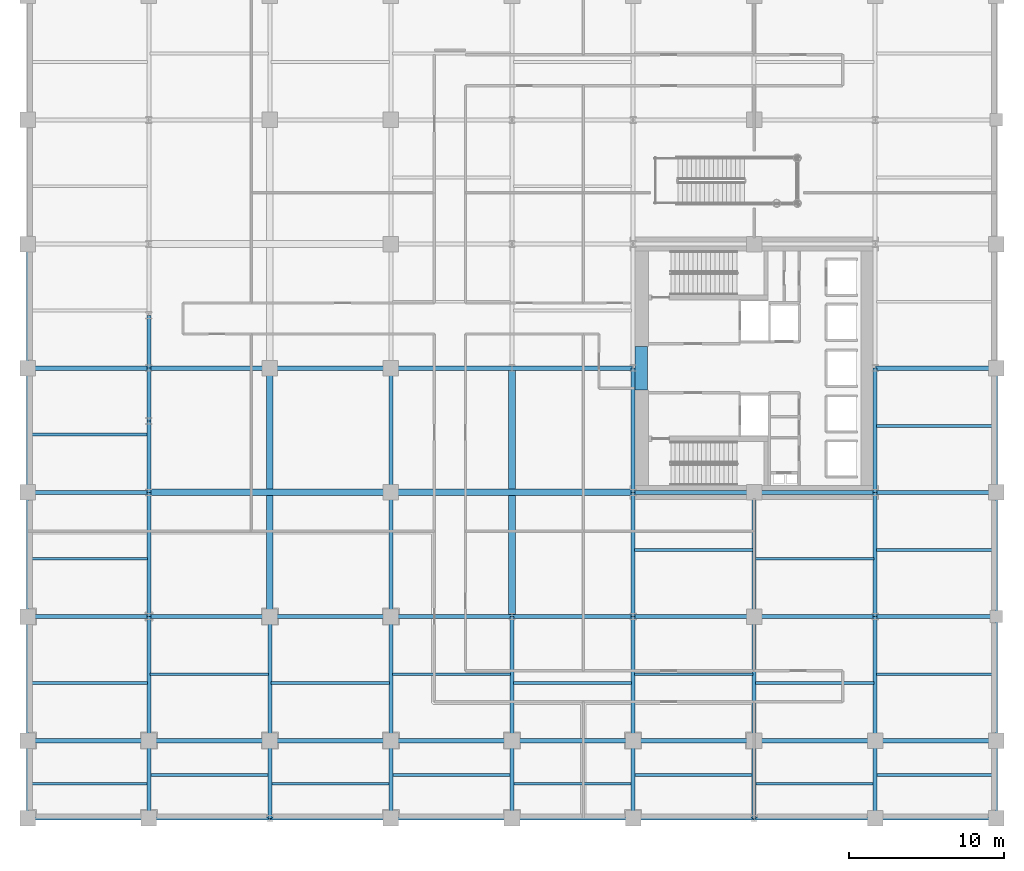
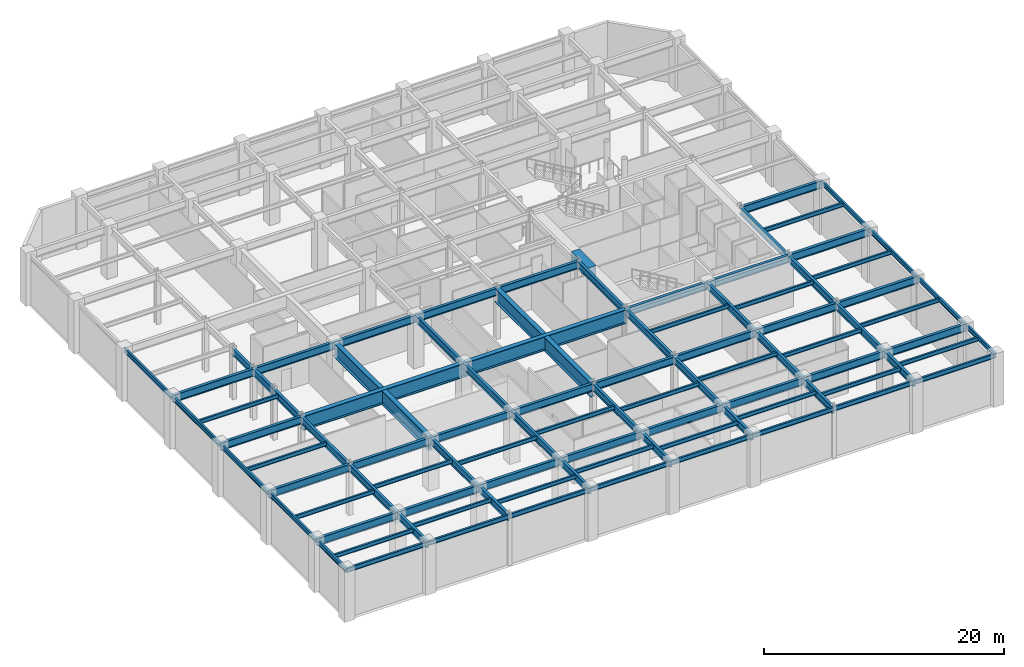
# One storey, part 5 of 12: 95 beams.
"""IFC4 building model written with IfcOpenShell, lengths in metres."""

from ifc_helpers import new_model, si_unit, direction, frame, origin, origin_2d, place, context, subcontext, project, spatial, rectangle, i_section, extrude, material, material_profile, profile_set, type_object, element, save


model = new_model("IFC4")

# Units and contexts
model_context = context("Model", 3, precision=1e-05, world=origin(), true_north=direction((0.0, 1.0)))
body_context = subcontext(model_context, "Body", "Model", "MODEL_VIEW")
ifc_project = project(units=[si_unit("LENGTHUNIT", "METRE"), si_unit("AREAUNIT", "SQUARE_METRE"), si_unit("VOLUMEUNIT", "CUBIC_METRE"), si_unit("PLANEANGLEUNIT", "RADIAN"), si_unit("MASSUNIT", "GRAM", prefix="KILO")], contexts=[model_context])

# Site, building, storey
site_placement = place(None, origin())
site = spatial("IfcSite", under=ifc_project, at=site_placement, CompositionType="ELEMENT")
building_placement = place(site_placement, origin())
building = spatial("IfcBuilding", under=site, at=building_placement, Name="Veymaron Broadcast Tower", CompositionType="ELEMENT")
storey_placement = place(building_placement, frame((0.0, 0.0, 10.800048828125)))
storey = spatial("IfcBuildingStorey", under=building, at=storey_placement, Name="L02", CompositionType="ELEMENT", Elevation=10.800048828125)

# Beams
ifc_material_1 = material(Name="Concrete C70/85", Category="concrete")
ifc_material_profile_1 = material_profile(ifc_material_1, rectangle(XDim=0.800048828125, YDim=1.10009765625, at=origin_2d()), Name="RC800X1100")
ifc_profile_set_1 = profile_set([ifc_material_profile_1], Name="Concrete C70/85")
beam_type_1 = type_object("IfcBeamType", Name="BM-CB1", PredefinedType="LINTEL", material=ifc_profile_set_1)
beam_1_placement = place(storey_placement, frame((39.530029296875, 22.60009765625, 4.570068359375), z_axis=(0.0, 1.0, 0.0), x_axis=(-1.0, 0.0, 0.0)))
element("IfcBeam", 1, at=beam_1_placement, inside=storey, type_object=beam_type_1, Name="L02 Core Wall west coupling beam", PredefinedType="LINTEL", context=body_context, shape_type="SweptSolid", body=[
    extrude(rectangle(XDim=0.800048828125, YDim=1.10009765625, at=origin_2d()), origin(), (0.0, 0.0, 1.0), 2.7998046875),
])
ifc_material_2 = material(Name="Structural steel ASTM A992 Gr 50", Category="steel")
ifc_material_profile_2 = material_profile(ifc_material_2, i_section(OverallWidth=0.177978515625, OverallDepth=0.406982421875, WebThickness=0.0078125, FlangeThickness=0.0126953125, at=origin_2d()), Name="W410X60")
ifc_profile_set_2 = profile_set([ifc_material_profile_2], Name="Structural steel ASTM A992 Gr 50")
beam_type_2 = type_object("IfcBeamType", Name="BM-JS1", PredefinedType="JOIST", material=ifc_profile_set_2)
for number, where, z_axis, x_axis, name in (
    (2, (0.0849609375, -2.780029296875, 4.91650390625), (1.0, 0.0, 0.0), (0.0, 1.0, 0.0), "L02 podium secondary floor joist"),
    (3, (0.0849609375, 3.719970703125, 4.91650390625), (1.0, 0.0, 0.0), (0.0, 1.0, 0.0), "L02 podium secondary floor joist"),
    (4, (0.0849609375, 11.719970703125, 4.91650390625), (1.0, 0.0, 0.0), (0.0, 1.0, 0.0), "L02 podium secondary floor joist"),
    (5, (0.0849609375, 19.719970703125, 4.91650390625), (1.0, 0.0, 0.0), (0.0, 1.0, 0.0), "L02 podium secondary floor joist"),
):
    element("IfcBeam", number, at=place(storey_placement, frame(where, z_axis=z_axis, x_axis=x_axis)), inside=storey, type_object=beam_type_2, Name=name, PredefinedType="JOIST", context=body_context, shape_type="SweptSolid", body=[
        extrude(i_section(OverallWidth=0.177978515625, OverallDepth=0.406982421875, WebThickness=0.0078125, FlangeThickness=0.0126953125, at=origin_2d()), origin(), (0.0, 0.0, 1.0), 7.630126953125),
    ])
for number, where, z_axis, x_axis, name in (
    (6, (7.885009765625, -2.219970703125, 4.91650390625), (1.0, 0.0, 0.0), (0.0, 1.0, 0.0), "L02 podium secondary floor joist"),
    (7, (7.885009765625, 4.280029296875, 4.91650390625), (1.0, 0.0, 0.0), (0.0, 1.0, 0.0), "L02 podium secondary floor joist"),
    (8, (15.68505859375, -2.780029296875, 4.91650390625), (1.0, 0.0, 0.0), (0.0, 1.0, 0.0), "L02 podium secondary floor joist"),
    (9, (15.68505859375, 3.719970703125, 4.91650390625), (1.0, 0.0, 0.0), (0.0, 1.0, 0.0), "L02 podium secondary floor joist"),
    (10, (23.485107421875, -2.219970703125, 4.91650390625), (1.0, 0.0, 0.0), (0.0, 1.0, 0.0), "L02 podium secondary floor joist"),
    (11, (23.485107421875, 4.280029296875, 4.91650390625), (1.0, 0.0, 0.0), (0.0, 1.0, 0.0), "L02 podium secondary floor joist"),
):
    element("IfcBeam", number, at=place(storey_placement, frame(where, z_axis=z_axis, x_axis=x_axis)), inside=storey, type_object=beam_type_2, Name=name, PredefinedType="JOIST", context=body_context, shape_type="SweptSolid", body=[
        extrude(i_section(OverallWidth=0.177978515625, OverallDepth=0.406982421875, WebThickness=0.0078125, FlangeThickness=0.0126953125, at=origin_2d()), origin(), (0.0, 0.0, 1.0), 7.6298828125),
    ])
for number, where, z_axis, x_axis, name in (
    (12, (31.284912109375, -2.780029296875, 4.91650390625), (1.0, 0.0, 0.0), (0.0, 1.0, 0.0), "L02 podium secondary floor joist"),
    (13, (31.284912109375, 3.719970703125, 4.91650390625), (1.0, 0.0, 0.0), (0.0, 1.0, 0.0), "L02 podium secondary floor joist"),
    (14, (39.0849609375, -2.219970703125, 4.91650390625), (1.0, 0.0, 0.0), (0.0, 1.0, 0.0), "L02 podium secondary floor joist"),
    (15, (39.0849609375, 4.280029296875, 4.91650390625), (1.0, 0.0, 0.0), (0.0, 1.0, 0.0), "L02 podium secondary floor joist"),
    (16, (39.0849609375, 12.280029296875, 4.91650390625), (1.0, 0.0, 0.0), (0.0, 1.0, 0.0), "L02 podium secondary floor joist"),
):
    element("IfcBeam", number, at=place(storey_placement, frame(where, z_axis=z_axis, x_axis=x_axis)), inside=storey, type_object=beam_type_2, Name=name, PredefinedType="JOIST", context=body_context, shape_type="SweptSolid", body=[
        extrude(i_section(OverallWidth=0.177978515625, OverallDepth=0.406982421875, WebThickness=0.0078125, FlangeThickness=0.0126953125, at=origin_2d()), origin(), (0.0, 0.0, 1.0), 7.630126953125),
    ])
for number, where, z_axis, x_axis, name in (
    (17, (46.885009765625, -2.780029296875, 4.91650390625), (1.0, 0.0, 0.0), (0.0, 1.0, 0.0), "L02 podium secondary floor joist"),
    (18, (46.885009765625, 3.719970703125, 4.91650390625), (1.0, 0.0, 0.0), (0.0, 1.0, 0.0), "L02 podium secondary floor joist"),
    (19, (46.885009765625, 11.719970703125, 4.91650390625), (1.0, 0.0, 0.0), (0.0, 1.0, 0.0), "L02 podium secondary floor joist"),
    (20, (54.68505859375, -2.219970703125, 4.91650390625), (1.0, 0.0, 0.0), (0.0, 1.0, 0.0), "L02 podium secondary floor joist"),
    (21, (54.68505859375, 4.280029296875, 4.91650390625), (1.0, 0.0, 0.0), (0.0, 1.0, 0.0), "L02 podium secondary floor joist"),
    (22, (54.68505859375, 12.280029296875, 4.91650390625), (1.0, 0.0, 0.0), (0.0, 1.0, 0.0), "L02 podium secondary floor joist"),
    (23, (54.68505859375, 20.280029296875, 4.91650390625), (1.0, 0.0, 0.0), (0.0, 1.0, 0.0), "L02 podium secondary floor joist"),
):
    element("IfcBeam", number, at=place(storey_placement, frame(where, z_axis=z_axis, x_axis=x_axis)), inside=storey, type_object=beam_type_2, Name=name, PredefinedType="JOIST", context=body_context, shape_type="SweptSolid", body=[
        extrude(i_section(OverallWidth=0.177978515625, OverallDepth=0.406982421875, WebThickness=0.0078125, FlangeThickness=0.0126953125, at=origin_2d()), origin(), (0.0, 0.0, 1.0), 7.6298828125),
    ])
ifc_material_profile_3 = material_profile(ifc_material_2, i_section(OverallWidth=0.26806640625, OverallDepth=0.77001953125, WebThickness=0.015625, FlangeThickness=0.025390625, at=origin_2d()), Name="W760X196")
ifc_profile_set_3 = profile_set([ifc_material_profile_3], Name="Structural steel ASTM A992 Gr 50")
beam_type_3 = type_object("IfcBeamType", Name="BM-PG1", PredefinedType="BEAM", material=ifc_profile_set_3)
for number, where, z_axis, x_axis, name in (
    (24, (0.0, 0.0, 4.73486328125), (1.0, 0.0, 0.0), (0.0, 1.0, 0.0), "L02 podium primary X-girder"),
    (25, (7.800048828125, 0.0, 4.73486328125), (1.0, 0.0, 0.0), (0.0, 1.0, 0.0), "L02 podium primary X-girder"),
):
    element("IfcBeam", number, at=place(storey_placement, frame(where, z_axis=z_axis, x_axis=x_axis)), inside=storey, type_object=beam_type_3, Name=name, PredefinedType="BEAM", context=body_context, shape_type="SweptSolid", body=[
        extrude(i_section(OverallWidth=0.26806640625, OverallDepth=0.77001953125, WebThickness=0.015625, FlangeThickness=0.025390625, at=origin_2d()), origin(), (0.0, 0.0, 1.0), 7.800048828125),
    ])
beam_2_placement = place(storey_placement, frame((15.60009765625, 0.0, 4.73486328125), z_axis=(1.0, 0.0, 0.0), x_axis=(0.0, 1.0, 0.0)))
element("IfcBeam", 26, at=beam_2_placement, inside=storey, type_object=beam_type_3, Name="L02 podium primary X-girder", PredefinedType="BEAM", context=body_context, shape_type="SweptSolid", body=[
    extrude(i_section(OverallWidth=0.26806640625, OverallDepth=0.77001953125, WebThickness=0.015625, FlangeThickness=0.025390625, at=origin_2d()), origin(), (0.0, 0.0, 1.0), 7.7998046875),
])
for number, where, z_axis, x_axis, name in (
    (27, (23.39990234375, 0.0, 4.73486328125), (1.0, 0.0, 0.0), (0.0, 1.0, 0.0), "L02 podium primary X-girder"),
    (28, (31.199951171875, 0.0, 4.73486328125), (1.0, 0.0, 0.0), (0.0, 1.0, 0.0), "L02 podium primary X-girder"),
    (29, (39.0, 0.0, 4.73486328125), (1.0, 0.0, 0.0), (0.0, 1.0, 0.0), "L02 podium primary X-girder"),
    (30, (46.800048828125, 0.0, 4.73486328125), (1.0, 0.0, 0.0), (0.0, 1.0, 0.0), "L02 podium primary X-girder"),
):
    element("IfcBeam", number, at=place(storey_placement, frame(where, z_axis=z_axis, x_axis=x_axis)), inside=storey, type_object=beam_type_3, Name=name, PredefinedType="BEAM", context=body_context, shape_type="SweptSolid", body=[
        extrude(i_section(OverallWidth=0.26806640625, OverallDepth=0.77001953125, WebThickness=0.015625, FlangeThickness=0.025390625, at=origin_2d()), origin(), (0.0, 0.0, 1.0), 7.800048828125),
    ])
beam_3_placement = place(storey_placement, frame((54.60009765625, 0.0, 4.73486328125), z_axis=(1.0, 0.0, 0.0), x_axis=(0.0, 1.0, 0.0)))
element("IfcBeam", 31, at=beam_3_placement, inside=storey, type_object=beam_type_3, Name="L02 podium primary X-girder", PredefinedType="BEAM", context=body_context, shape_type="SweptSolid", body=[
    extrude(i_section(OverallWidth=0.26806640625, OverallDepth=0.77001953125, WebThickness=0.015625, FlangeThickness=0.025390625, at=origin_2d()), origin(), (0.0, 0.0, 1.0), 7.7998046875),
])
for number, where, z_axis, x_axis, name in (
    (32, (0.0, 8.0, 4.73486328125), (1.0, 0.0, 0.0), (0.0, 1.0, 0.0), "L02 podium primary X-girder"),
    (33, (7.800048828125, 8.0, 4.73486328125), (1.0, 0.0, 0.0), (0.0, 1.0, 0.0), "L02 podium primary X-girder"),
):
    element("IfcBeam", number, at=place(storey_placement, frame(where, z_axis=z_axis, x_axis=x_axis)), inside=storey, type_object=beam_type_3, Name=name, PredefinedType="BEAM", context=body_context, shape_type="SweptSolid", body=[
        extrude(i_section(OverallWidth=0.26806640625, OverallDepth=0.77001953125, WebThickness=0.015625, FlangeThickness=0.025390625, at=origin_2d()), origin(), (0.0, 0.0, 1.0), 7.800048828125),
    ])
beam_4_placement = place(storey_placement, frame((15.60009765625, 8.0, 4.73486328125), z_axis=(1.0, 0.0, 0.0), x_axis=(0.0, 1.0, 0.0)))
element("IfcBeam", 34, at=beam_4_placement, inside=storey, type_object=beam_type_3, Name="L02 podium primary X-girder", PredefinedType="BEAM", context=body_context, shape_type="SweptSolid", body=[
    extrude(i_section(OverallWidth=0.26806640625, OverallDepth=0.77001953125, WebThickness=0.015625, FlangeThickness=0.025390625, at=origin_2d()), origin(), (0.0, 0.0, 1.0), 7.7998046875),
])
for number, where, z_axis, x_axis, name in (
    (35, (23.39990234375, 8.0, 4.73486328125), (1.0, 0.0, 0.0), (0.0, 1.0, 0.0), "L02 podium primary X-girder"),
    (36, (31.199951171875, 8.0, 4.73486328125), (1.0, 0.0, 0.0), (0.0, 1.0, 0.0), "L02 podium primary X-girder"),
    (37, (39.0, 8.0, 4.73486328125), (1.0, 0.0, 0.0), (0.0, 1.0, 0.0), "L02 podium primary X-girder"),
    (38, (46.800048828125, 8.0, 4.73486328125), (1.0, 0.0, 0.0), (0.0, 1.0, 0.0), "L02 podium primary X-girder"),
):
    element("IfcBeam", number, at=place(storey_placement, frame(where, z_axis=z_axis, x_axis=x_axis)), inside=storey, type_object=beam_type_3, Name=name, PredefinedType="BEAM", context=body_context, shape_type="SweptSolid", body=[
        extrude(i_section(OverallWidth=0.26806640625, OverallDepth=0.77001953125, WebThickness=0.015625, FlangeThickness=0.025390625, at=origin_2d()), origin(), (0.0, 0.0, 1.0), 7.800048828125),
    ])
beam_5_placement = place(storey_placement, frame((54.60009765625, 8.0, 4.73486328125), z_axis=(1.0, 0.0, 0.0), x_axis=(0.0, 1.0, 0.0)))
element("IfcBeam", 39, at=beam_5_placement, inside=storey, type_object=beam_type_3, Name="L02 podium primary X-girder", PredefinedType="BEAM", context=body_context, shape_type="SweptSolid", body=[
    extrude(i_section(OverallWidth=0.26806640625, OverallDepth=0.77001953125, WebThickness=0.015625, FlangeThickness=0.025390625, at=origin_2d()), origin(), (0.0, 0.0, 1.0), 7.7998046875),
])
for number, where, z_axis, x_axis, name in (
    (40, (0.0, 16.0, 4.73486328125), (1.0, 0.0, 0.0), (0.0, 1.0, 0.0), "L02 podium primary X-girder"),
    (41, (39.0, 16.0, 4.73486328125), (1.0, 0.0, 0.0), (0.0, 1.0, 0.0), "L02 podium primary X-girder"),
    (42, (46.800048828125, 16.0, 4.73486328125), (1.0, 0.0, 0.0), (0.0, 1.0, 0.0), "L02 podium primary X-girder"),
):
    element("IfcBeam", number, at=place(storey_placement, frame(where, z_axis=z_axis, x_axis=x_axis)), inside=storey, type_object=beam_type_3, Name=name, PredefinedType="BEAM", context=body_context, shape_type="SweptSolid", body=[
        extrude(i_section(OverallWidth=0.26806640625, OverallDepth=0.77001953125, WebThickness=0.015625, FlangeThickness=0.025390625, at=origin_2d()), origin(), (0.0, 0.0, 1.0), 7.800048828125),
    ])
beam_6_placement = place(storey_placement, frame((54.60009765625, 16.0, 4.73486328125), z_axis=(1.0, 0.0, 0.0), x_axis=(0.0, 1.0, 0.0)))
element("IfcBeam", 43, at=beam_6_placement, inside=storey, type_object=beam_type_3, Name="L02 podium primary X-girder", PredefinedType="BEAM", context=body_context, shape_type="SweptSolid", body=[
    extrude(i_section(OverallWidth=0.26806640625, OverallDepth=0.77001953125, WebThickness=0.015625, FlangeThickness=0.025390625, at=origin_2d()), origin(), (0.0, 0.0, 1.0), 7.7998046875),
])
for number, where, z_axis, x_axis, name in (
    (44, (0.0, 24.0, 4.73486328125), (1.0, 0.0, 0.0), (0.0, 1.0, 0.0), "L02 podium primary X-girder"),
    (45, (7.800048828125, 24.0, 4.73486328125), (1.0, 0.0, 0.0), (0.0, 1.0, 0.0), "L02 podium primary X-girder"),
):
    element("IfcBeam", number, at=place(storey_placement, frame(where, z_axis=z_axis, x_axis=x_axis)), inside=storey, type_object=beam_type_3, Name=name, PredefinedType="BEAM", context=body_context, shape_type="SweptSolid", body=[
        extrude(i_section(OverallWidth=0.26806640625, OverallDepth=0.77001953125, WebThickness=0.015625, FlangeThickness=0.025390625, at=origin_2d()), origin(), (0.0, 0.0, 1.0), 7.800048828125),
    ])
beam_7_placement = place(storey_placement, frame((15.60009765625, 24.0, 4.73486328125), z_axis=(1.0, 0.0, 0.0), x_axis=(0.0, 1.0, 0.0)))
element("IfcBeam", 46, at=beam_7_placement, inside=storey, type_object=beam_type_3, Name="L02 podium primary X-girder", PredefinedType="BEAM", context=body_context, shape_type="SweptSolid", body=[
    extrude(i_section(OverallWidth=0.26806640625, OverallDepth=0.77001953125, WebThickness=0.015625, FlangeThickness=0.025390625, at=origin_2d()), origin(), (0.0, 0.0, 1.0), 7.7998046875),
])
for number, where, z_axis, x_axis, name in (
    (47, (23.39990234375, 24.0, 4.73486328125), (1.0, 0.0, 0.0), (0.0, 1.0, 0.0), "L02 podium primary X-girder"),
    (48, (31.199951171875, 24.0, 4.73486328125), (1.0, 0.0, 0.0), (0.0, 1.0, 0.0), "L02 podium primary X-girder"),
):
    element("IfcBeam", number, at=place(storey_placement, frame(where, z_axis=z_axis, x_axis=x_axis)), inside=storey, type_object=beam_type_3, Name=name, PredefinedType="BEAM", context=body_context, shape_type="SweptSolid", body=[
        extrude(i_section(OverallWidth=0.26806640625, OverallDepth=0.77001953125, WebThickness=0.015625, FlangeThickness=0.025390625, at=origin_2d()), origin(), (0.0, 0.0, 1.0), 7.800048828125),
    ])
beam_8_placement = place(storey_placement, frame((54.60009765625, 24.0, 4.73486328125), z_axis=(1.0, 0.0, 0.0), x_axis=(0.0, 1.0, 0.0)))
element("IfcBeam", 49, at=beam_8_placement, inside=storey, type_object=beam_type_3, Name="L02 podium primary X-girder", PredefinedType="BEAM", context=body_context, shape_type="SweptSolid", body=[
    extrude(i_section(OverallWidth=0.26806640625, OverallDepth=0.77001953125, WebThickness=0.015625, FlangeThickness=0.025390625, at=origin_2d()), origin(), (0.0, 0.0, 1.0), 7.7998046875),
])
ifc_material_profile_4 = material_profile(ifc_material_2, i_section(OverallWidth=0.256103515625, OverallDepth=0.693115234375, WebThickness=0.014404296875, FlangeThickness=0.023681640625, at=origin_2d()), Name="W690X170")
ifc_profile_set_4 = profile_set([ifc_material_profile_4], Name="Structural steel ASTM A992 Gr 50")
beam_type_4 = type_object("IfcBeamType", Name="BM-PG2", PredefinedType="BEAM", material=ifc_profile_set_4)
beam_9_placement = place(storey_placement, frame((7.800048828125, -5.0, 4.7734375), z_axis=(0.0, 1.0, 0.0), x_axis=(-1.0, 0.0, 0.0)))
element("IfcBeam", 50, at=beam_9_placement, inside=storey, type_object=beam_type_4, Name="L02 podium primary Y-girder", PredefinedType="BEAM", context=body_context, shape_type="SweptSolid", body=[
    extrude(i_section(OverallWidth=0.256103515625, OverallDepth=0.693115234375, WebThickness=0.014404296875, FlangeThickness=0.023681640625, at=origin_2d()), origin(), (0.0, 0.0, 1.0), 5.0),
])
for number, where, z_axis, x_axis, name in (
    (51, (7.800048828125, 0.0, 4.7734375), (0.0, 1.0, 0.0), (-1.0, 0.0, 0.0), "L02 podium primary Y-girder"),
    (52, (7.800048828125, 8.0, 4.7734375), (0.0, 1.0, 0.0), (-1.0, 0.0, 0.0), "L02 podium primary Y-girder"),
):
    element("IfcBeam", number, at=place(storey_placement, frame(where, z_axis=z_axis, x_axis=x_axis)), inside=storey, type_object=beam_type_4, Name=name, PredefinedType="BEAM", context=body_context, shape_type="SweptSolid", body=[
        extrude(i_section(OverallWidth=0.256103515625, OverallDepth=0.693115234375, WebThickness=0.014404296875, FlangeThickness=0.023681640625, at=origin_2d()), origin(), (0.0, 0.0, 1.0), 8.0),
    ])
beam_10_placement = place(storey_placement, frame((7.800048828125, 16.0, 4.7734375), z_axis=(0.0, 1.0, 0.0), x_axis=(-1.0, 0.0, 0.0)))
element("IfcBeam", 53, at=beam_10_placement, inside=storey, type_object=beam_type_4, Name="L02 podium primary Y-girder", PredefinedType="BEAM", context=body_context, shape_type="SweptSolid", body=[
    extrude(i_section(OverallWidth=0.256103515625, OverallDepth=0.693115234375, WebThickness=0.014404296875, FlangeThickness=0.023681640625, at=origin_2d()), origin(), (0.0, 0.0, 1.0), 4.60009765625),
])
for number, where, z_axis, x_axis, name in (
    (54, (7.800048828125, 20.60009765625, 4.7734375), (0.0, 1.0, 0.0), (-1.0, 0.0, 0.0), "L02 podium primary Y-girder"),
    (55, (7.800048828125, 24.0, 4.7734375), (0.0, 1.0, 0.0), (-1.0, 0.0, 0.0), "L02 podium primary Y-girder"),
):
    element("IfcBeam", number, at=place(storey_placement, frame(where, z_axis=z_axis, x_axis=x_axis)), inside=storey, type_object=beam_type_4, Name=name, PredefinedType="BEAM", context=body_context, shape_type="SweptSolid", body=[
        extrude(i_section(OverallWidth=0.256103515625, OverallDepth=0.693115234375, WebThickness=0.014404296875, FlangeThickness=0.023681640625, at=origin_2d()), origin(), (0.0, 0.0, 1.0), 3.39990234375),
    ])
beam_11_placement = place(storey_placement, frame((15.60009765625, -5.0, 4.7734375), z_axis=(0.0, 1.0, 0.0), x_axis=(-1.0, 0.0, 0.0)))
element("IfcBeam", 56, at=beam_11_placement, inside=storey, type_object=beam_type_4, Name="L02 podium primary Y-girder", PredefinedType="BEAM", context=body_context, shape_type="SweptSolid", body=[
    extrude(i_section(OverallWidth=0.256103515625, OverallDepth=0.693115234375, WebThickness=0.014404296875, FlangeThickness=0.023681640625, at=origin_2d()), origin(), (0.0, 0.0, 1.0), 5.0),
])
beam_12_placement = place(storey_placement, frame((15.60009765625, 0.0, 4.7734375), z_axis=(0.0, 1.0, 0.0), x_axis=(-1.0, 0.0, 0.0)))
element("IfcBeam", 57, at=beam_12_placement, inside=storey, type_object=beam_type_4, Name="L02 podium primary Y-girder", PredefinedType="BEAM", context=body_context, shape_type="SweptSolid", body=[
    extrude(i_section(OverallWidth=0.256103515625, OverallDepth=0.693115234375, WebThickness=0.014404296875, FlangeThickness=0.023681640625, at=origin_2d()), origin(), (0.0, 0.0, 1.0), 8.0),
])
beam_13_placement = place(storey_placement, frame((23.39990234375, -5.0, 4.7734375), z_axis=(0.0, 1.0, 0.0), x_axis=(-1.0, 0.0, 0.0)))
element("IfcBeam", 58, at=beam_13_placement, inside=storey, type_object=beam_type_4, Name="L02 podium primary Y-girder", PredefinedType="BEAM", context=body_context, shape_type="SweptSolid", body=[
    extrude(i_section(OverallWidth=0.256103515625, OverallDepth=0.693115234375, WebThickness=0.014404296875, FlangeThickness=0.023681640625, at=origin_2d()), origin(), (0.0, 0.0, 1.0), 5.0),
])
for number, where, z_axis, x_axis, name in (
    (59, (23.39990234375, 0.0, 4.7734375), (0.0, 1.0, 0.0), (-1.0, 0.0, 0.0), "L02 podium primary Y-girder"),
    (60, (23.39990234375, 8.0, 4.7734375), (0.0, 1.0, 0.0), (-1.0, 0.0, 0.0), "L02 podium primary Y-girder"),
    (61, (23.39990234375, 16.0, 4.7734375), (0.0, 1.0, 0.0), (-1.0, 0.0, 0.0), "L02 podium primary Y-girder"),
):
    element("IfcBeam", number, at=place(storey_placement, frame(where, z_axis=z_axis, x_axis=x_axis)), inside=storey, type_object=beam_type_4, Name=name, PredefinedType="BEAM", context=body_context, shape_type="SweptSolid", body=[
        extrude(i_section(OverallWidth=0.256103515625, OverallDepth=0.693115234375, WebThickness=0.014404296875, FlangeThickness=0.023681640625, at=origin_2d()), origin(), (0.0, 0.0, 1.0), 8.0),
    ])
beam_14_placement = place(storey_placement, frame((31.199951171875, -5.0, 4.7734375), z_axis=(0.0, 1.0, 0.0), x_axis=(-1.0, 0.0, 0.0)))
element("IfcBeam", 62, at=beam_14_placement, inside=storey, type_object=beam_type_4, Name="L02 podium primary Y-girder", PredefinedType="BEAM", context=body_context, shape_type="SweptSolid", body=[
    extrude(i_section(OverallWidth=0.256103515625, OverallDepth=0.693115234375, WebThickness=0.014404296875, FlangeThickness=0.023681640625, at=origin_2d()), origin(), (0.0, 0.0, 1.0), 5.0),
])
beam_15_placement = place(storey_placement, frame((31.199951171875, 0.0, 4.7734375), z_axis=(0.0, 1.0, 0.0), x_axis=(-1.0, 0.0, 0.0)))
element("IfcBeam", 63, at=beam_15_placement, inside=storey, type_object=beam_type_4, Name="L02 podium primary Y-girder", PredefinedType="BEAM", context=body_context, shape_type="SweptSolid", body=[
    extrude(i_section(OverallWidth=0.256103515625, OverallDepth=0.693115234375, WebThickness=0.014404296875, FlangeThickness=0.023681640625, at=origin_2d()), origin(), (0.0, 0.0, 1.0), 8.0),
])
beam_16_placement = place(storey_placement, frame((39.0, -5.0, 4.7734375), z_axis=(0.0, 1.0, 0.0), x_axis=(-1.0, 0.0, 0.0)))
element("IfcBeam", 64, at=beam_16_placement, inside=storey, type_object=beam_type_4, Name="L02 podium primary Y-girder", PredefinedType="BEAM", context=body_context, shape_type="SweptSolid", body=[
    extrude(i_section(OverallWidth=0.256103515625, OverallDepth=0.693115234375, WebThickness=0.014404296875, FlangeThickness=0.023681640625, at=origin_2d()), origin(), (0.0, 0.0, 1.0), 5.0),
])
for number, where, z_axis, x_axis, name in (
    (65, (39.0, 0.0, 4.7734375), (0.0, 1.0, 0.0), (-1.0, 0.0, 0.0), "L02 podium primary Y-girder"),
    (66, (39.0, 8.0, 4.7734375), (0.0, 1.0, 0.0), (-1.0, 0.0, 0.0), "L02 podium primary Y-girder"),
    (67, (39.0, 16.0, 4.7734375), (0.0, 1.0, 0.0), (-1.0, 0.0, 0.0), "L02 podium primary Y-girder"),
):
    element("IfcBeam", number, at=place(storey_placement, frame(where, z_axis=z_axis, x_axis=x_axis)), inside=storey, type_object=beam_type_4, Name=name, PredefinedType="BEAM", context=body_context, shape_type="SweptSolid", body=[
        extrude(i_section(OverallWidth=0.256103515625, OverallDepth=0.693115234375, WebThickness=0.014404296875, FlangeThickness=0.023681640625, at=origin_2d()), origin(), (0.0, 0.0, 1.0), 8.0),
    ])
beam_17_placement = place(storey_placement, frame((46.800048828125, -5.0, 4.7734375), z_axis=(0.0, 1.0, 0.0), x_axis=(-1.0, 0.0, 0.0)))
element("IfcBeam", 68, at=beam_17_placement, inside=storey, type_object=beam_type_4, Name="L02 podium primary Y-girder", PredefinedType="BEAM", context=body_context, shape_type="SweptSolid", body=[
    extrude(i_section(OverallWidth=0.256103515625, OverallDepth=0.693115234375, WebThickness=0.014404296875, FlangeThickness=0.023681640625, at=origin_2d()), origin(), (0.0, 0.0, 1.0), 5.0),
])
for number, where, z_axis, x_axis, name in (
    (69, (46.800048828125, 0.0, 4.7734375), (0.0, 1.0, 0.0), (-1.0, 0.0, 0.0), "L02 podium primary Y-girder"),
    (70, (46.800048828125, 8.0, 4.7734375), (0.0, 1.0, 0.0), (-1.0, 0.0, 0.0), "L02 podium primary Y-girder"),
):
    element("IfcBeam", number, at=place(storey_placement, frame(where, z_axis=z_axis, x_axis=x_axis)), inside=storey, type_object=beam_type_4, Name=name, PredefinedType="BEAM", context=body_context, shape_type="SweptSolid", body=[
        extrude(i_section(OverallWidth=0.256103515625, OverallDepth=0.693115234375, WebThickness=0.014404296875, FlangeThickness=0.023681640625, at=origin_2d()), origin(), (0.0, 0.0, 1.0), 8.0),
    ])
beam_18_placement = place(storey_placement, frame((54.60009765625, -5.0, 4.7734375), z_axis=(0.0, 1.0, 0.0), x_axis=(-1.0, 0.0, 0.0)))
element("IfcBeam", 71, at=beam_18_placement, inside=storey, type_object=beam_type_4, Name="L02 podium primary Y-girder", PredefinedType="BEAM", context=body_context, shape_type="SweptSolid", body=[
    extrude(i_section(OverallWidth=0.256103515625, OverallDepth=0.693115234375, WebThickness=0.014404296875, FlangeThickness=0.023681640625, at=origin_2d()), origin(), (0.0, 0.0, 1.0), 5.0),
])
for number, where, z_axis, x_axis, name in (
    (72, (54.60009765625, 0.0, 4.7734375), (0.0, 1.0, 0.0), (-1.0, 0.0, 0.0), "L02 podium primary Y-girder"),
    (73, (54.60009765625, 8.0, 4.7734375), (0.0, 1.0, 0.0), (-1.0, 0.0, 0.0), "L02 podium primary Y-girder"),
    (74, (54.60009765625, 16.0, 4.7734375), (0.0, 1.0, 0.0), (-1.0, 0.0, 0.0), "L02 podium primary Y-girder"),
):
    element("IfcBeam", number, at=place(storey_placement, frame(where, z_axis=z_axis, x_axis=x_axis)), inside=storey, type_object=beam_type_4, Name=name, PredefinedType="BEAM", context=body_context, shape_type="SweptSolid", body=[
        extrude(i_section(OverallWidth=0.256103515625, OverallDepth=0.693115234375, WebThickness=0.014404296875, FlangeThickness=0.023681640625, at=origin_2d()), origin(), (0.0, 0.0, 1.0), 8.0),
    ])
ifc_material_profile_5 = material_profile(ifc_material_2, i_section(OverallWidth=0.19091796875, OverallDepth=0.4599609375, WebThickness=0.010009765625, FlangeThickness=0.01611328125, at=origin_2d()), Name="W460X82")
ifc_profile_set_5 = profile_set([ifc_material_profile_5], Name="Structural steel ASTM A992 Gr 50")
beam_type_5 = type_object("IfcBeamType", Name="BM-SP1", PredefinedType="SPANDREL", material=ifc_profile_set_5)
for number, where, z_axis, x_axis, name in (
    (75, (0.0, -5.0, 4.889892578125), (1.0, 0.0, 0.0), (0.0, 1.0, 0.0), "L02 podium primary X-girder"),
    (76, (7.800048828125, -5.0, 4.889892578125), (1.0, 0.0, 0.0), (0.0, 1.0, 0.0), "L02 podium primary X-girder"),
):
    element("IfcBeam", number, at=place(storey_placement, frame(where, z_axis=z_axis, x_axis=x_axis)), inside=storey, type_object=beam_type_5, Name=name, PredefinedType="SPANDREL", context=body_context, shape_type="SweptSolid", body=[
        extrude(i_section(OverallWidth=0.19091796875, OverallDepth=0.4599609375, WebThickness=0.010009765625, FlangeThickness=0.01611328125, at=origin_2d()), origin(), (0.0, 0.0, 1.0), 7.800048828125),
    ])
beam_19_placement = place(storey_placement, frame((15.60009765625, -5.0, 4.889892578125), z_axis=(1.0, 0.0, 0.0), x_axis=(0.0, 1.0, 0.0)))
element("IfcBeam", 77, at=beam_19_placement, inside=storey, type_object=beam_type_5, Name="L02 podium primary X-girder", PredefinedType="SPANDREL", context=body_context, shape_type="SweptSolid", body=[
    extrude(i_section(OverallWidth=0.19091796875, OverallDepth=0.4599609375, WebThickness=0.010009765625, FlangeThickness=0.01611328125, at=origin_2d()), origin(), (0.0, 0.0, 1.0), 7.7998046875),
])
for number, where, z_axis, x_axis, name in (
    (78, (23.39990234375, -5.0, 4.889892578125), (1.0, 0.0, 0.0), (0.0, 1.0, 0.0), "L02 podium primary X-girder"),
    (79, (31.199951171875, -5.0, 4.889892578125), (1.0, 0.0, 0.0), (0.0, 1.0, 0.0), "L02 podium primary X-girder"),
    (80, (39.0, -5.0, 4.889892578125), (1.0, 0.0, 0.0), (0.0, 1.0, 0.0), "L02 podium primary X-girder"),
    (81, (46.800048828125, -5.0, 4.889892578125), (1.0, 0.0, 0.0), (0.0, 1.0, 0.0), "L02 podium primary X-girder"),
):
    element("IfcBeam", number, at=place(storey_placement, frame(where, z_axis=z_axis, x_axis=x_axis)), inside=storey, type_object=beam_type_5, Name=name, PredefinedType="SPANDREL", context=body_context, shape_type="SweptSolid", body=[
        extrude(i_section(OverallWidth=0.19091796875, OverallDepth=0.4599609375, WebThickness=0.010009765625, FlangeThickness=0.01611328125, at=origin_2d()), origin(), (0.0, 0.0, 1.0), 7.800048828125),
    ])
beam_20_placement = place(storey_placement, frame((54.60009765625, -5.0, 4.889892578125), z_axis=(1.0, 0.0, 0.0), x_axis=(0.0, 1.0, 0.0)))
element("IfcBeam", 82, at=beam_20_placement, inside=storey, type_object=beam_type_5, Name="L02 podium primary X-girder", PredefinedType="SPANDREL", context=body_context, shape_type="SweptSolid", body=[
    extrude(i_section(OverallWidth=0.19091796875, OverallDepth=0.4599609375, WebThickness=0.010009765625, FlangeThickness=0.01611328125, at=origin_2d()), origin(), (0.0, 0.0, 1.0), 7.7998046875),
])
beam_21_placement = place(storey_placement, frame((0.0, -5.0, 4.889892578125), z_axis=(0.0, 1.0, 0.0), x_axis=(-1.0, 0.0, 0.0)))
element("IfcBeam", 83, at=beam_21_placement, inside=storey, type_object=beam_type_5, Name="L02 podium primary Y-girder", PredefinedType="SPANDREL", context=body_context, shape_type="SweptSolid", body=[
    extrude(i_section(OverallWidth=0.19091796875, OverallDepth=0.4599609375, WebThickness=0.010009765625, FlangeThickness=0.01611328125, at=origin_2d()), origin(), (0.0, 0.0, 1.0), 5.0),
])
for number, where, z_axis, x_axis, name in (
    (84, (0.0, 0.0, 4.889892578125), (0.0, 1.0, 0.0), (-1.0, 0.0, 0.0), "L02 podium primary Y-girder"),
    (85, (0.0, 8.0, 4.889892578125), (0.0, 1.0, 0.0), (-1.0, 0.0, 0.0), "L02 podium primary Y-girder"),
    (86, (0.0, 16.0, 4.889892578125), (0.0, 1.0, 0.0), (-1.0, 0.0, 0.0), "L02 podium primary Y-girder"),
    (87, (0.0, 24.0, 4.889892578125), (0.0, 1.0, 0.0), (-1.0, 0.0, 0.0), "L02 podium primary Y-girder"),
):
    element("IfcBeam", number, at=place(storey_placement, frame(where, z_axis=z_axis, x_axis=x_axis)), inside=storey, type_object=beam_type_5, Name=name, PredefinedType="SPANDREL", context=body_context, shape_type="SweptSolid", body=[
        extrude(i_section(OverallWidth=0.19091796875, OverallDepth=0.4599609375, WebThickness=0.010009765625, FlangeThickness=0.01611328125, at=origin_2d()), origin(), (0.0, 0.0, 1.0), 8.0),
    ])
beam_22_placement = place(storey_placement, frame((62.39990234375, -5.0, 4.889892578125), z_axis=(0.0, 1.0, 0.0), x_axis=(-1.0, 0.0, 0.0)))
element("IfcBeam", 88, at=beam_22_placement, inside=storey, type_object=beam_type_5, Name="L02 podium primary Y-girder", PredefinedType="SPANDREL", context=body_context, shape_type="SweptSolid", body=[
    extrude(i_section(OverallWidth=0.19091796875, OverallDepth=0.4599609375, WebThickness=0.010009765625, FlangeThickness=0.01611328125, at=origin_2d()), origin(), (0.0, 0.0, 1.0), 5.0),
])
for number, where, z_axis, x_axis, name in (
    (89, (62.39990234375, 0.0, 4.889892578125), (0.0, 1.0, 0.0), (-1.0, 0.0, 0.0), "L02 podium primary Y-girder"),
    (90, (62.39990234375, 8.0, 4.889892578125), (0.0, 1.0, 0.0), (-1.0, 0.0, 0.0), "L02 podium primary Y-girder"),
    (91, (62.39990234375, 16.0, 4.889892578125), (0.0, 1.0, 0.0), (-1.0, 0.0, 0.0), "L02 podium primary Y-girder"),
):
    element("IfcBeam", number, at=place(storey_placement, frame(where, z_axis=z_axis, x_axis=x_axis)), inside=storey, type_object=beam_type_5, Name=name, PredefinedType="SPANDREL", context=body_context, shape_type="SweptSolid", body=[
        extrude(i_section(OverallWidth=0.19091796875, OverallDepth=0.4599609375, WebThickness=0.010009765625, FlangeThickness=0.01611328125, at=origin_2d()), origin(), (0.0, 0.0, 1.0), 8.0),
    ])
ifc_material_3 = material(Name="Structural steel ASTM A913 Gr 65", Category="steel")
ifc_material_profile_6 = material_profile(ifc_material_3, i_section(OverallWidth=0.429931640625, OverallDepth=1.419921875, WebThickness=0.030029296875, FlangeThickness=0.050048828125, at=origin_2d()), Name="W1400X550")
ifc_profile_set_6 = profile_set([ifc_material_profile_6], Name="Structural steel ASTM A913 Gr 65")
beam_type_6 = type_object("IfcBeamType", Name="BM-TG0", PredefinedType="BEAM", material=ifc_profile_set_6)
beam_23_placement = place(storey_placement, frame((7.800048828125, 16.0, 4.409912109375), z_axis=(1.0, 0.0, 0.0), x_axis=(0.0, 1.0, 0.0)))
element("IfcBeam", 92, at=beam_23_placement, inside=storey, type_object=beam_type_6, Name="L02 podium primary X-girder", PredefinedType="BEAM", context=body_context, shape_type="SweptSolid", body=[
    extrude(i_section(OverallWidth=0.429931640625, OverallDepth=1.419921875, WebThickness=0.030029296875, FlangeThickness=0.050048828125, at=origin_2d()), origin(), (0.0, 0.0, 1.0), 15.599853515625),
])
beam_24_placement = place(storey_placement, frame((23.39990234375, 16.0, 4.409912109375), z_axis=(1.0, 0.0, 0.0), x_axis=(0.0, 1.0, 0.0)))
element("IfcBeam", 93, at=beam_24_placement, inside=storey, type_object=beam_type_6, Name="L02 podium primary X-girder", PredefinedType="BEAM", context=body_context, shape_type="SweptSolid", body=[
    extrude(i_section(OverallWidth=0.429931640625, OverallDepth=1.419921875, WebThickness=0.030029296875, FlangeThickness=0.050048828125, at=origin_2d()), origin(), (0.0, 0.0, 1.0), 15.60009765625),
])
for number, where, z_axis, x_axis, name in (
    (94, (15.60009765625, 8.0, 4.409912109375), (0.0, 1.0, 0.0), (-1.0, 0.0, 0.0), "L02 podium primary Y-girder"),
    (95, (31.199951171875, 8.0, 4.409912109375), (0.0, 1.0, 0.0), (-1.0, 0.0, 0.0), "L02 podium primary Y-girder"),
):
    element("IfcBeam", number, at=place(storey_placement, frame(where, z_axis=z_axis, x_axis=x_axis)), inside=storey, type_object=beam_type_6, Name=name, PredefinedType="BEAM", context=body_context, shape_type="SweptSolid", body=[
        extrude(i_section(OverallWidth=0.429931640625, OverallDepth=1.419921875, WebThickness=0.030029296875, FlangeThickness=0.050048828125, at=origin_2d()), origin(), (0.0, 0.0, 1.0), 16.0),
    ])

save(model, "model.ifc")
